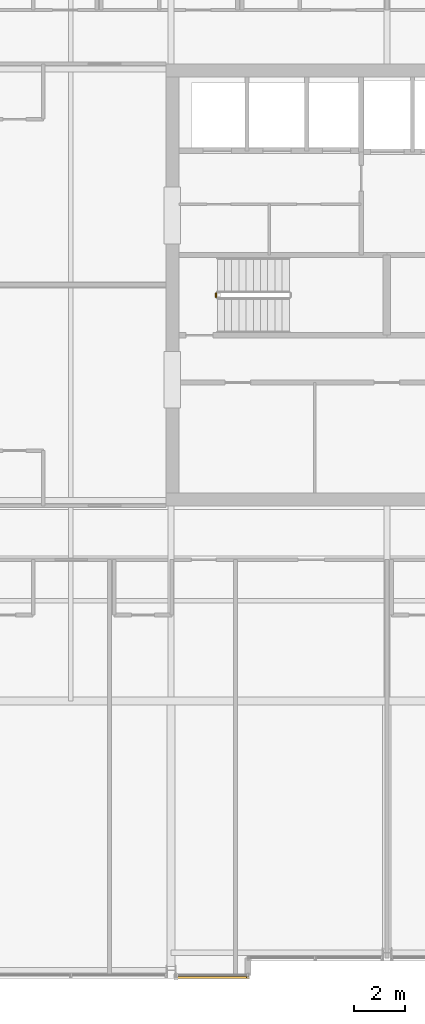
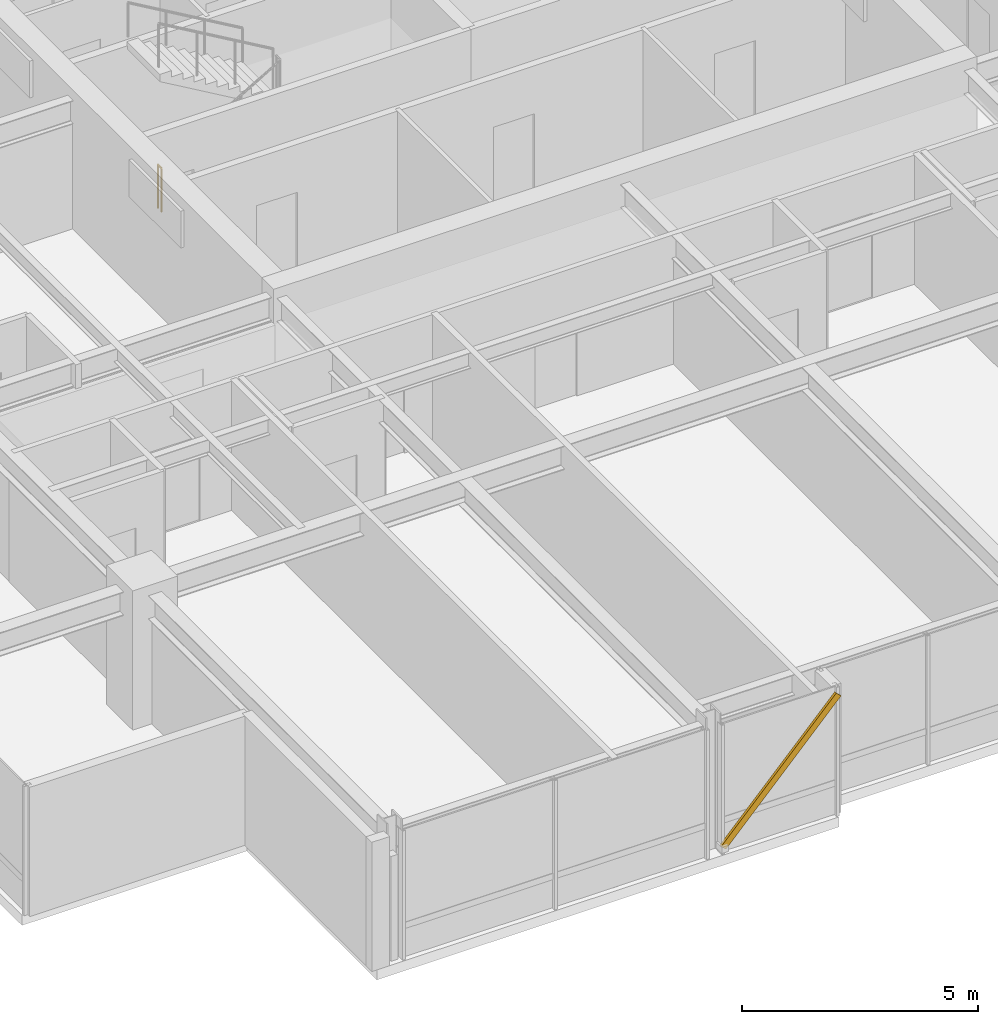
# One storey, part 32 of 34: 1 railing, 1 shading device.
"""IFC4 building model written with IfcOpenShell, lengths in metres."""

from ifc_helpers import new_model, si_unit, direction, frame, origin, origin_2d, place, context, subcontext, project, spatial, hollow_rectangle, circle, extrude, material, material_profile, profile_set, type_object, element, save


model = new_model("IFC4")

# Units and contexts
model_context = context("Model", 3, precision=1e-05, world=origin(), true_north=direction((0.0, 1.0)))
body_context = subcontext(model_context, "Body", "Model", "MODEL_VIEW")
ifc_project = project(units=[si_unit("LENGTHUNIT", "METRE"), si_unit("AREAUNIT", "SQUARE_METRE"), si_unit("VOLUMEUNIT", "CUBIC_METRE"), si_unit("PLANEANGLEUNIT", "RADIAN"), si_unit("MASSUNIT", "GRAM", prefix="KILO")], contexts=[model_context])

# Site, building, storey
site_placement = place(None, origin())
site = spatial("IfcSite", under=ifc_project, at=site_placement, CompositionType="ELEMENT")
building_placement = place(site_placement, origin())
building = spatial("IfcBuilding", under=site, at=building_placement, Name="Drelvath Grand Hotel", CompositionType="ELEMENT")
storey_placement = place(building_placement, frame((0.0, 0.0, 208.699951171875)))
storey = spatial("IfcBuildingStorey", under=building, at=storey_placement, Name="L54", CompositionType="ELEMENT", Elevation=208.699951171875)

# Railing
ifc_material_1 = material(Name="Painted Steel S275", Category="steel")
railing_type = type_object("IfcRailingType", Name="Core Stair Well Guardrail 1100", PredefinedType="GUARDRAIL", material=ifc_material_1)
railing_placement = place(storey_placement, frame((-6.64990234375, 26.52001953125, 0.0)))
element("IfcRailing", 1, at=railing_placement, inside=storey, type_object=railing_type, Name="L54 ST-1 stair guard 4", PredefinedType="GUARDRAIL", context=body_context, shape_type="SweptSolid", body=[
    extrude(circle(Radius=0.02392578125, at=origin_2d()), frame((0.0, 0.0, 1.1259765625), z_axis=(0.0, 1.0, 0.0), x_axis=(-1.0, 0.0, 0.0)), (0.0, 0.0, 1.0), 0.159912109375),
    extrude(circle(Radius=0.02099609375, at=origin_2d()), origin(), (0.0, 0.0, 1.0), 1.101806640625),
    extrude(circle(Radius=0.02099609375, at=origin_2d()), frame((0.0, 0.159912109375, 0.0)), (0.0, 0.0, 1.0), 1.101806640625),
])

# Shading device
ifc_material_2 = material(Name="Platinum-Mist Anodised Aluminium", Category="aluminium")
ifc_material_profile = material_profile(ifc_material_2, hollow_rectangle(XDim=0.06494140625, YDim=0.159912109375, WallThickness=0.00390625, at=origin_2d()), Name="HSS160X65X4")
ifc_profile_set = profile_set([ifc_material_profile], Name="Platinum-Mist Anodised Aluminium")
shading_device_type = type_object("IfcShadingDeviceType", Name="Diagonal Solar Fin Platinum Anodised HSS160X65X4", PredefinedType="USERDEFINED", material=ifc_profile_set)
shading_device_placement = place(storey_placement, frame((-8.214599609375, 0.0400390625, 0.179931640625), z_axis=(0.686628779373, 0.0, 0.727008197572), x_axis=(0.0, 1.0, 0.0)))
element("IfcShadingDevice", 2, at=shading_device_placement, inside=storey, type_object=shading_device_type, Name="L54 Diagonal Anodised Fin CW05-L54-SW3", ObjectType="FIN", PredefinedType="USERDEFINED", context=body_context, shape_type="SweptSolid", body=[
    extrude(hollow_rectangle(XDim=0.06494140625, YDim=0.159912109375, WallThickness=0.00390625, at=origin_2d()), origin(), (0.0, 0.0, 1.0), 4.099365234375),
])

save(model, "model.ifc")
